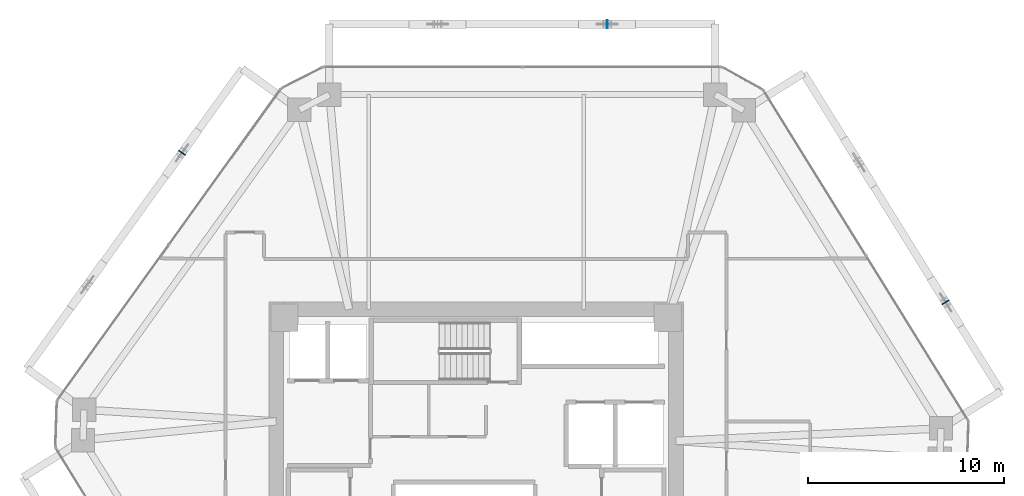
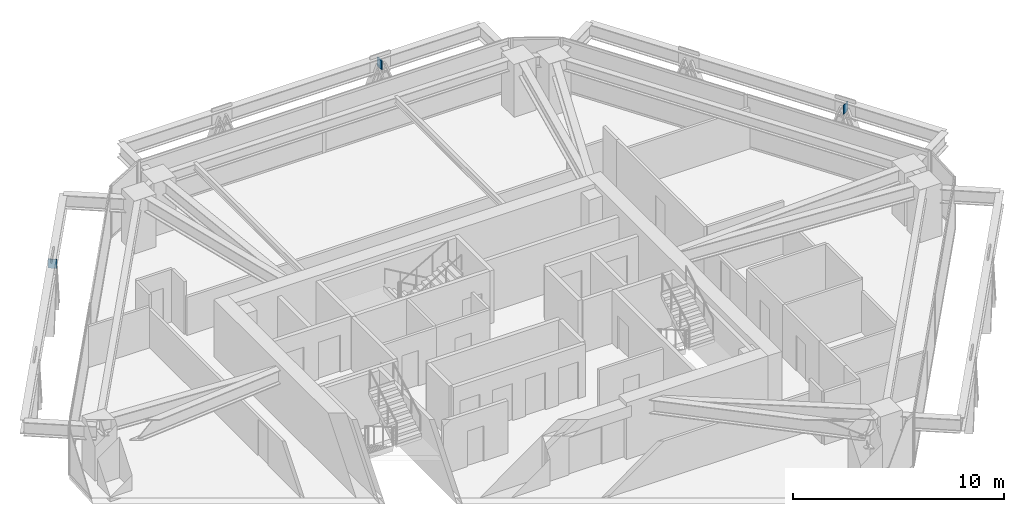
# One storey, part 11 of 15: 3 plates.
"""IFC4 building model written with IfcOpenShell, lengths in metres."""

from ifc_helpers import new_model, si_unit, direction, frame, origin, origin_2d, place, context, subcontext, project, spatial, rectangle, extrude, source, transform, mapped, material, layer, layer_set, type_object, type_shapes, element, save


model = new_model("IFC4")

# Units and contexts
model_context = context("Model", 3, precision=1e-05, world=origin(), true_north=direction((0.0, 1.0)))
body_context = subcontext(model_context, "Body", "Model", "MODEL_VIEW")
ifc_project = project(units=[si_unit("LENGTHUNIT", "METRE"), si_unit("AREAUNIT", "SQUARE_METRE"), si_unit("VOLUMEUNIT", "CUBIC_METRE"), si_unit("PLANEANGLEUNIT", "RADIAN"), si_unit("MASSUNIT", "GRAM", prefix="KILO")], contexts=[model_context])

# Site, building, storey
site_placement = place(None, origin())
site = spatial("IfcSite", under=ifc_project, at=site_placement, CompositionType="ELEMENT")
building_placement = place(site_placement, origin())
building = spatial("IfcBuilding", under=site, at=building_placement, Name="Durnholm Broadcast Tower", CompositionType="ELEMENT")
storey_placement = place(building_placement, frame((0.0, 0.0, 104.10009765625)))
storey = spatial("IfcBuildingStorey", under=building, at=storey_placement, Name="L27", CompositionType="ELEMENT", Elevation=104.10009765625)

# Plates
ifc_material = material(Name="Steel ASTM A572 Grade 50", Category="steel")
ifc_layer = layer(ifc_material, 0.044921875)
ifc_layer_set = layer_set([ifc_layer], Name="Steel ASTM A572 Grade 50")
plate_type = type_object("IfcPlateType", Name="PLT-KN-STIF", PredefinedType="SHEET", material=ifc_layer_set)
shared_shape = source(origin(), body_context, "Body", "SweptSolid", [
    extrude(rectangle(XDim=0.044921875, YDim=0.419921875, at=origin_2d()), origin(), (0.0, 0.0, 1.0), 0.52001953125),
])
type_shapes(plate_type, [shared_shape])
for number, where, z_axis, x_axis, name in (
    (1, (24.01513671875, 8.58837890625, 2.048583984375), (0.0, 0.0, 1.0), (-0.527104121728, 0.849800708906, 0.0), "L27 welded diagrid node stiffener plate F3"),
    (2, (6.7060546875, 22.81494140625, 2.048583984375), (0.0, 0.0, 1.0), (-1.0, 0.0, 0.0), "L27 welded diagrid node stiffener plate F4"),
    (3, (-15.040771484375, 16.234375, 2.048583984375), (0.0, 0.0, 1.0), (-0.583399467156, -0.812185361677, 0.0), "L27 welded diagrid node stiffener plate F5"),
):
    element("IfcPlate", number, at=place(storey_placement, frame(where, z_axis=z_axis, x_axis=x_axis)), inside=storey, type_object=plate_type, Name=name, PredefinedType="SHEET", context=body_context, shape_type="MappedRepresentation", body=[
        mapped(shared_shape, transform((0.0, 0.0, 0.0), x_axis=(1.0, 0.0, 0.0), y_axis=(0.0, 1.0, 0.0), z_axis=(0.0, 0.0, 1.0), scale=1.0)),
    ])

save(model, "model.ifc")
